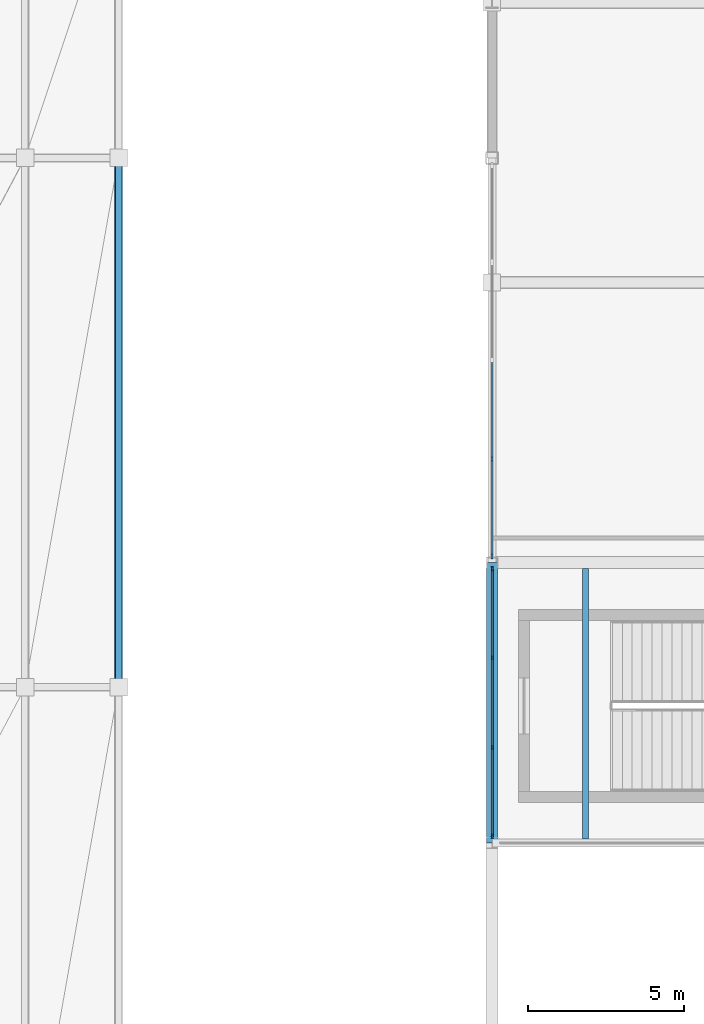
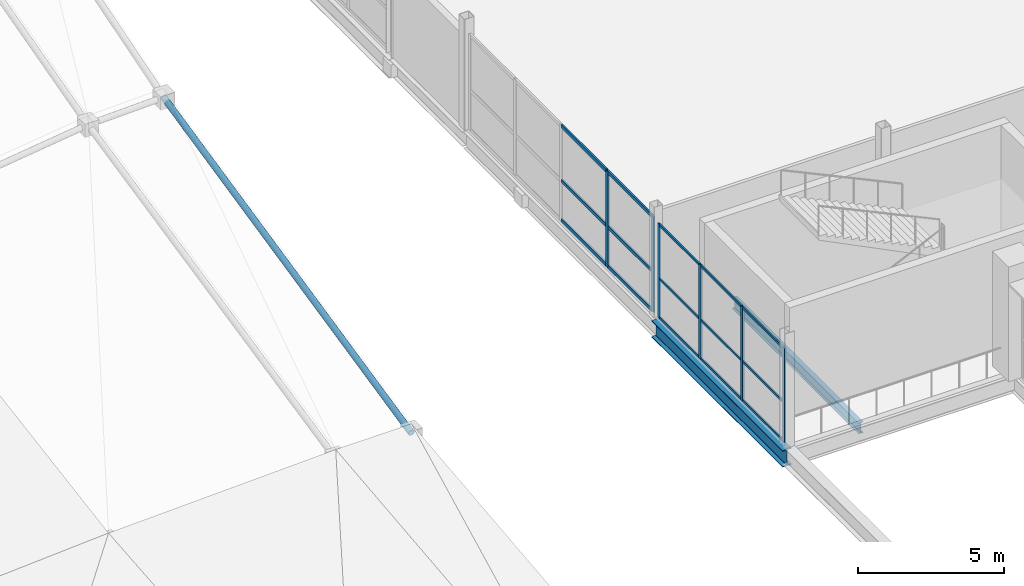
# One storey, part 25 of 69: 22 members, 2 beams, 2 elements without a shape of their own.
"""IFC4 building model written with IfcOpenShell, lengths in metres."""

from ifc_helpers import new_model, si_unit, direction, frame, origin, origin_2d, place, context, subcontext, project, spatial, rectangle, hollow_circle, i_section, extrude, material, layer, layer_set, material_profile, profile_set, type_object, element, aggregate, save


model = new_model("IFC4")

# Units and contexts
model_context = context("Model", 3, precision=1e-05, world=origin(), true_north=direction((0.0, 1.0)))
body_context = subcontext(model_context, "Body", "Model", "MODEL_VIEW")
ifc_project = project(units=[si_unit("LENGTHUNIT", "METRE"), si_unit("AREAUNIT", "SQUARE_METRE"), si_unit("VOLUMEUNIT", "CUBIC_METRE"), si_unit("PLANEANGLEUNIT", "RADIAN"), si_unit("MASSUNIT", "GRAM", prefix="KILO")], contexts=[model_context])

# Site, building, storey
site_placement = place(None, origin())
site = spatial("IfcSite", under=ifc_project, at=site_placement, CompositionType="ELEMENT")
building_placement = place(site_placement, origin())
building = spatial("IfcBuilding", under=site, at=building_placement, Name="Qamarlyn Nura Convention Centre", CompositionType="ELEMENT")
storey_placement = place(building_placement, frame((0.0, 0.0, 15.60009765625)))
storey = spatial("IfcBuildingStorey", under=building, at=storey_placement, Name="L03", CompositionType="ELEMENT", Elevation=15.60009765625)

# Beams
ifc_material_1 = material(Name="Steel ASTM A992", Category="steel")
ifc_material_profile_1 = material_profile(ifc_material_1, i_section(OverallWidth=0.35498046875, OverallDepth=0.695068359375, WebThickness=0.015380859375, FlangeThickness=0.02490234375, FilletRadius=0.01806640625, at=origin_2d()), Name="W690X217")
ifc_profile_set_1 = profile_set([ifc_material_profile_1], Name="Steel ASTM A992")
beam_type_1 = type_object("IfcBeamType", Name="BM-GIRD-690A", PredefinedType="BEAM", material=ifc_profile_set_1)
beam_1_placement = place(storey_placement, frame((144.0, 81.0, -0.547607421875), z_axis=(0.0, 1.0, 0.0), x_axis=(-1.0, 0.0, 0.0)))
element("IfcBeam", 1, at=beam_1_placement, inside=storey, type_object=beam_type_1, Name="L03 girder 12 K-L", PredefinedType="BEAM", context=body_context, shape_type="SweptSolid", body=[
    extrude(i_section(OverallWidth=0.35498046875, OverallDepth=0.695068359375, WebThickness=0.015380859375, FlangeThickness=0.02490234375, FilletRadius=0.01806640625, at=origin_2d()), origin(), (0.0, 0.0, 1.0), 9.0),
])
ifc_material_profile_2 = material_profile(ifc_material_1, i_section(OverallWidth=0.18994140625, OverallDepth=0.45703125, WebThickness=0.009033203125, FlangeThickness=0.014404296875, FilletRadius=0.012939453125, at=origin_2d()), Name="W460X74")
ifc_profile_set_2 = profile_set([ifc_material_profile_2], Name="Steel ASTM A992")
beam_type_2 = type_object("IfcBeamType", Name="BM-JOIST-460", PredefinedType="JOIST", material=ifc_profile_set_2)
beam_2_placement = place(storey_placement, frame((147.0, 81.126953125, -0.4287109375), z_axis=(0.0, 1.0, 0.0), x_axis=(-1.0, 0.0, 0.0)))
element("IfcBeam", 2, at=beam_2_placement, inside=storey, type_object=beam_type_2, Name="L03 secondary joist 12-13/K-L-01", PredefinedType="JOIST", context=body_context, shape_type="SweptSolid", body=[
    extrude(i_section(OverallWidth=0.18994140625, OverallDepth=0.45703125, WebThickness=0.009033203125, FlangeThickness=0.014404296875, FilletRadius=0.012939453125, at=origin_2d()), origin(), (0.0, 0.0, 1.0), 8.6826171875),
])

# Curtain wall, members
ifc_material_2 = material(Name="Double-silver low-E insulated glass", Category="glass")
ifc_layer_1 = layer(ifc_material_2, 0.179931640625, Name="CW-UNIT-127")
ifc_layer_set_1 = layer_set([ifc_layer_1], Name="Double-silver low-E insulated glass")
curtain_wall_type_1 = type_object("IfcCurtainWallType", Name="CW-UNIT-127", PredefinedType="NOTDEFINED", material=ifc_layer_set_1)
curtain_wall_1_placement = place(storey_placement, origin())
curtain_wall_1 = element("IfcCurtainWall", 3, at=curtain_wall_1_placement, inside=storey, type_object=curtain_wall_type_1, Name="L03 unitised curtain wall PLW-81-1", PredefinedType="NOTDEFINED")
ifc_material_3 = material(Name="Champagne-anodised marine aluminium", Category="aluminium")
ifc_material_profile_3 = material_profile(ifc_material_3, rectangle(XDim=0.06005859375, YDim=0.139892578125, at=origin_2d()), Name="ALU MULLION 60x140")
ifc_profile_set_3 = profile_set([ifc_material_profile_3], Name="Champagne-anodised marine aluminium")
member_type_1 = type_object("IfcMemberType", Name="CWM-140", PredefinedType="MULLION", material=ifc_profile_set_3)
member_1_placement = place(storey_placement, frame((144.0, 81.216064453125, 0.0), z_axis=(0.0, 0.0, 1.0), x_axis=(-1.0, 0.0, 0.0)))
member_1 = element("IfcMember", 4, at=member_1_placement, type_object=member_type_1, Name="CW127 mullion 1", PredefinedType="MULLION", context=body_context, shape_type="SweptSolid", body=[
    extrude(rectangle(XDim=0.06005859375, YDim=0.139892578125, at=origin_2d()), origin(), (0.0, 0.0, 1.0), 3.935791015625),
])
member_2_placement = place(storey_placement, frame((144.0, 84.065673828125, 0.0), z_axis=(0.0, 0.0, 1.0), x_axis=(-1.0, 0.0, 0.0)))
member_2 = element("IfcMember", 5, at=member_2_placement, type_object=member_type_1, Name="CW127 mullion 2", PredefinedType="MULLION", context=body_context, shape_type="SweptSolid", body=[
    extrude(rectangle(XDim=0.06005859375, YDim=0.139892578125, at=origin_2d()), origin(), (0.0, 0.0, 1.0), 3.935791015625),
])
member_3_placement = place(storey_placement, frame((144.0, 86.9453125, 0.0), z_axis=(0.0, 0.0, 1.0), x_axis=(-1.0, 0.0, 0.0)))
member_3 = element("IfcMember", 6, at=member_3_placement, type_object=member_type_1, Name="CW127 mullion 3", PredefinedType="MULLION", context=body_context, shape_type="SweptSolid", body=[
    extrude(rectangle(XDim=0.06005859375, YDim=0.139892578125, at=origin_2d()), origin(), (0.0, 0.0, 1.0), 3.935791015625),
])
member_4_placement = place(storey_placement, frame((144.0, 89.794921875, 0.0), z_axis=(0.0, 0.0, 1.0), x_axis=(-1.0, 0.0, 0.0)))
member_4 = element("IfcMember", 7, at=member_4_placement, type_object=member_type_1, Name="CW127 mullion 4", PredefinedType="MULLION", context=body_context, shape_type="SweptSolid", body=[
    extrude(rectangle(XDim=0.06005859375, YDim=0.139892578125, at=origin_2d()), origin(), (0.0, 0.0, 1.0), 3.935791015625),
])

ifc_layer_2 = layer(ifc_material_2, 0.179931640625, Name="CW-UNIT-128")
ifc_layer_set_2 = layer_set([ifc_layer_2], Name="Double-silver low-E insulated glass")
curtain_wall_type_2 = type_object("IfcCurtainWallType", Name="CW-UNIT-128", PredefinedType="NOTDEFINED", material=ifc_layer_set_2)
curtain_wall_2_placement = place(storey_placement, origin())
curtain_wall_2 = element("IfcCurtainWall", 8, at=curtain_wall_2_placement, inside=storey, type_object=curtain_wall_type_2, Name="L03 unitised curtain wall PLW-90-1", PredefinedType="NOTDEFINED")
ifc_material_profile_4 = material_profile(ifc_material_3, rectangle(XDim=0.070068359375, YDim=0.179931640625, at=origin_2d()), Name="ALU MULLION 70x180")
ifc_profile_set_4 = profile_set([ifc_material_profile_4], Name="Champagne-anodised marine aluminium")
member_type_2 = type_object("IfcMemberType", Name="CWM-180", PredefinedType="MULLION", material=ifc_profile_set_4)
member_5_placement = place(storey_placement, frame((144.0, 90.2099609375, 0.0), z_axis=(0.0, 0.0, 1.0), x_axis=(-1.0, 0.0, 0.0)))
member_5 = element("IfcMember", 9, at=member_5_placement, type_object=member_type_2, Name="CW128 mullion 1", PredefinedType="MULLION", context=body_context, shape_type="SweptSolid", body=[
    extrude(rectangle(XDim=0.070068359375, YDim=0.179931640625, at=origin_2d()), origin(), (0.0, 0.0, 1.0), 4.0087890625),
])
member_6_placement = place(storey_placement, frame((144.0, 93.331298828125, 0.0), z_axis=(0.0, 0.0, 1.0), x_axis=(-1.0, 0.0, 0.0)))
member_6 = element("IfcMember", 10, at=member_6_placement, type_object=member_type_2, Name="CW128 mullion 2", PredefinedType="MULLION", context=body_context, shape_type="SweptSolid", body=[
    extrude(rectangle(XDim=0.070068359375, YDim=0.179931640625, at=origin_2d()), origin(), (0.0, 0.0, 1.0), 4.0087890625),
])

# Member
ifc_material_profile_5 = material_profile(ifc_material_3, rectangle(XDim=0.06005859375, YDim=0.10009765625, at=origin_2d()), Name="ALU TRANSOM 60x100")
ifc_profile_set_5 = profile_set([ifc_material_profile_5], Name="Champagne-anodised marine aluminium")
member_type_3 = type_object("IfcMemberType", Name="CWT-100", PredefinedType="USERDEFINED", material=ifc_profile_set_5)
member_7_placement = place(storey_placement, frame((144.0, 81.24609375, 0.02978515625), z_axis=(0.0, 1.0, 0.0), x_axis=(-1.0, 0.0, 0.0)))
member_7 = element("IfcMember", 11, at=member_7_placement, type_object=member_type_3, Name="CW127 transom 1.1", ObjectType="TRANSOM", PredefinedType="USERDEFINED", context=body_context, shape_type="SweptSolid", body=[
    extrude(rectangle(XDim=0.06005859375, YDim=0.10009765625, at=origin_2d()), origin(), (0.0, 0.0, 1.0), 2.78955078125),
])

member_8_placement = place(storey_placement, frame((144.0, 81.24609375, 1.65283203125), z_axis=(0.0, 1.0, 0.0), x_axis=(-1.0, 0.0, 0.0)))
member_8 = element("IfcMember", 12, at=member_8_placement, type_object=member_type_3, Name="CW127 transom 1.2", ObjectType="TRANSOM", PredefinedType="USERDEFINED", context=body_context, shape_type="SweptSolid", body=[
    extrude(rectangle(XDim=0.06005859375, YDim=0.10009765625, at=origin_2d()), origin(), (0.0, 0.0, 1.0), 2.78955078125),
])

member_9_placement = place(storey_placement, frame((144.0, 81.24609375, 3.906005859375), z_axis=(0.0, 1.0, 0.0), x_axis=(-1.0, 0.0, 0.0)))
member_9 = element("IfcMember", 13, at=member_9_placement, type_object=member_type_3, Name="CW127 transom 1.3", ObjectType="TRANSOM", PredefinedType="USERDEFINED", context=body_context, shape_type="SweptSolid", body=[
    extrude(rectangle(XDim=0.06005859375, YDim=0.10009765625, at=origin_2d()), origin(), (0.0, 0.0, 1.0), 2.78955078125),
])

member_10_placement = place(storey_placement, frame((144.0, 84.095703125, 0.02978515625), z_axis=(0.0, 1.0, 0.0), x_axis=(-1.0, 0.0, 0.0)))
member_10 = element("IfcMember", 14, at=member_10_placement, type_object=member_type_3, Name="CW127 transom 2.1", ObjectType="TRANSOM", PredefinedType="USERDEFINED", context=body_context, shape_type="SweptSolid", body=[
    extrude(rectangle(XDim=0.06005859375, YDim=0.10009765625, at=origin_2d()), origin(), (0.0, 0.0, 1.0), 2.819580078125),
])

member_11_placement = place(storey_placement, frame((144.0, 84.095703125, 1.65283203125), z_axis=(0.0, 1.0, 0.0), x_axis=(-1.0, 0.0, 0.0)))
member_11 = element("IfcMember", 15, at=member_11_placement, type_object=member_type_3, Name="CW127 transom 2.2", ObjectType="TRANSOM", PredefinedType="USERDEFINED", context=body_context, shape_type="SweptSolid", body=[
    extrude(rectangle(XDim=0.06005859375, YDim=0.10009765625, at=origin_2d()), origin(), (0.0, 0.0, 1.0), 2.819580078125),
])

member_12_placement = place(storey_placement, frame((144.0, 84.095703125, 3.906005859375), z_axis=(0.0, 1.0, 0.0), x_axis=(-1.0, 0.0, 0.0)))
member_12 = element("IfcMember", 16, at=member_12_placement, type_object=member_type_3, Name="CW127 transom 2.3", ObjectType="TRANSOM", PredefinedType="USERDEFINED", context=body_context, shape_type="SweptSolid", body=[
    extrude(rectangle(XDim=0.06005859375, YDim=0.10009765625, at=origin_2d()), origin(), (0.0, 0.0, 1.0), 2.819580078125),
])

member_13_placement = place(storey_placement, frame((144.0, 86.975341796875, 0.02978515625), z_axis=(0.0, 1.0, 0.0), x_axis=(-1.0, 0.0, 0.0)))
member_13 = element("IfcMember", 17, at=member_13_placement, type_object=member_type_3, Name="CW127 transom 3.1", ObjectType="TRANSOM", PredefinedType="USERDEFINED", context=body_context, shape_type="SweptSolid", body=[
    extrude(rectangle(XDim=0.06005859375, YDim=0.10009765625, at=origin_2d()), origin(), (0.0, 0.0, 1.0), 2.78955078125),
])

member_14_placement = place(storey_placement, frame((144.0, 86.975341796875, 1.65283203125), z_axis=(0.0, 1.0, 0.0), x_axis=(-1.0, 0.0, 0.0)))
member_14 = element("IfcMember", 18, at=member_14_placement, type_object=member_type_3, Name="CW127 transom 3.2", ObjectType="TRANSOM", PredefinedType="USERDEFINED", context=body_context, shape_type="SweptSolid", body=[
    extrude(rectangle(XDim=0.06005859375, YDim=0.10009765625, at=origin_2d()), origin(), (0.0, 0.0, 1.0), 2.78955078125),
])

member_15_placement = place(storey_placement, frame((144.0, 86.975341796875, 3.906005859375), z_axis=(0.0, 1.0, 0.0), x_axis=(-1.0, 0.0, 0.0)))
member_15 = element("IfcMember", 19, at=member_15_placement, type_object=member_type_3, Name="CW127 transom 3.3", ObjectType="TRANSOM", PredefinedType="USERDEFINED", context=body_context, shape_type="SweptSolid", body=[
    extrude(rectangle(XDim=0.06005859375, YDim=0.10009765625, at=origin_2d()), origin(), (0.0, 0.0, 1.0), 2.78955078125),
])

aggregate(curtain_wall_1, [member_1, member_2, member_3, member_4, member_7, member_8, member_9, member_10, member_11, member_12, member_13, member_14, member_15])

ifc_material_profile_6 = material_profile(ifc_material_3, rectangle(XDim=0.070068359375, YDim=0.139892578125, at=origin_2d()), Name="ALU TRANSOM 70x140")
ifc_profile_set_6 = profile_set([ifc_material_profile_6], Name="Champagne-anodised marine aluminium")
member_type_4 = type_object("IfcMemberType", Name="CWT-140", PredefinedType="USERDEFINED", material=ifc_profile_set_6)
member_16_placement = place(storey_placement, frame((144.0, 90.2451171875, 0.034912109375), z_axis=(0.0, 1.0, 0.0), x_axis=(-1.0, 0.0, 0.0)))
member_16 = element("IfcMember", 20, at=member_16_placement, type_object=member_type_4, Name="CW128 transom 1.1", ObjectType="TRANSOM", PredefinedType="USERDEFINED", context=body_context, shape_type="SweptSolid", body=[
    extrude(rectangle(XDim=0.070068359375, YDim=0.139892578125, at=origin_2d()), origin(), (0.0, 0.0, 1.0), 3.051025390625),
])

member_17_placement = place(storey_placement, frame((144.0, 90.2451171875, 1.683837890625), z_axis=(0.0, 1.0, 0.0), x_axis=(-1.0, 0.0, 0.0)))
member_17 = element("IfcMember", 21, at=member_17_placement, type_object=member_type_4, Name="CW128 transom 1.2", ObjectType="TRANSOM", PredefinedType="USERDEFINED", context=body_context, shape_type="SweptSolid", body=[
    extrude(rectangle(XDim=0.070068359375, YDim=0.139892578125, at=origin_2d()), origin(), (0.0, 0.0, 1.0), 3.051025390625),
])

member_18_placement = place(storey_placement, frame((144.0, 90.2451171875, 3.973876953125), z_axis=(0.0, 1.0, 0.0), x_axis=(-1.0, 0.0, 0.0)))
member_18 = element("IfcMember", 22, at=member_18_placement, type_object=member_type_4, Name="CW128 transom 1.3", ObjectType="TRANSOM", PredefinedType="USERDEFINED", context=body_context, shape_type="SweptSolid", body=[
    extrude(rectangle(XDim=0.070068359375, YDim=0.139892578125, at=origin_2d()), origin(), (0.0, 0.0, 1.0), 3.051025390625),
])

member_19_placement = place(storey_placement, frame((144.0, 93.3662109375, 0.034912109375), z_axis=(0.0, 1.0, 0.0), x_axis=(-1.0, 0.0, 0.0)))
member_19 = element("IfcMember", 23, at=member_19_placement, type_object=member_type_4, Name="CW128 transom 2.1", ObjectType="TRANSOM", PredefinedType="USERDEFINED", context=body_context, shape_type="SweptSolid", body=[
    extrude(rectangle(XDim=0.070068359375, YDim=0.139892578125, at=origin_2d()), origin(), (0.0, 0.0, 1.0), 3.086181640625),
])

member_20_placement = place(storey_placement, frame((144.0, 93.3662109375, 1.683837890625), z_axis=(0.0, 1.0, 0.0), x_axis=(-1.0, 0.0, 0.0)))
member_20 = element("IfcMember", 24, at=member_20_placement, type_object=member_type_4, Name="CW128 transom 2.2", ObjectType="TRANSOM", PredefinedType="USERDEFINED", context=body_context, shape_type="SweptSolid", body=[
    extrude(rectangle(XDim=0.070068359375, YDim=0.139892578125, at=origin_2d()), origin(), (0.0, 0.0, 1.0), 3.086181640625),
])

member_21_placement = place(storey_placement, frame((144.0, 93.3662109375, 3.973876953125), z_axis=(0.0, 1.0, 0.0), x_axis=(-1.0, 0.0, 0.0)))
member_21 = element("IfcMember", 25, at=member_21_placement, type_object=member_type_4, Name="CW128 transom 2.3", ObjectType="TRANSOM", PredefinedType="USERDEFINED", context=body_context, shape_type="SweptSolid", body=[
    extrude(rectangle(XDim=0.070068359375, YDim=0.139892578125, at=origin_2d()), origin(), (0.0, 0.0, 1.0), 3.086181640625),
])

aggregate(curtain_wall_2, [member_5, member_6, member_16, member_17, member_18, member_19, member_20, member_21])

ifc_material_4 = material(Name="Pearl-white PVDF steel ASTM A500 Grade C", Category="steel")
ifc_material_profile_7 = material_profile(ifc_material_4, hollow_circle(Radius=0.122314453125, WallThickness=0.010009765625, at=origin_2d()), Name="CHS244.5X10")
ifc_profile_set_7 = profile_set([ifc_material_profile_7], Name="Pearl-white PVDF steel ASTM A500 Grade C")
member_type_5 = type_object("IfcMemberType", Name="SF-TC-EAVE", PredefinedType="CHORD", material=ifc_profile_set_7)
member_22_placement = place(storey_placement, frame((132.0, 86.0, 1.657470703125), z_axis=(0.0, 0.976526723381, 0.21539628252), x_axis=(-1.0, 0.0, 0.0)))
element("IfcMember", 26, at=member_22_placement, inside=storey, type_object=member_type_5, Name="ROOF TRUSS space frame top chord Y12-6", PredefinedType="CHORD", context=body_context, shape_type="SweptSolid", body=[
    extrude(hollow_circle(Radius=0.122314453125, WallThickness=0.010009765625, at=origin_2d()), origin(), (0.0, 0.0, 1.0), 17.40869140625),
])

save(model, "model.ifc")
